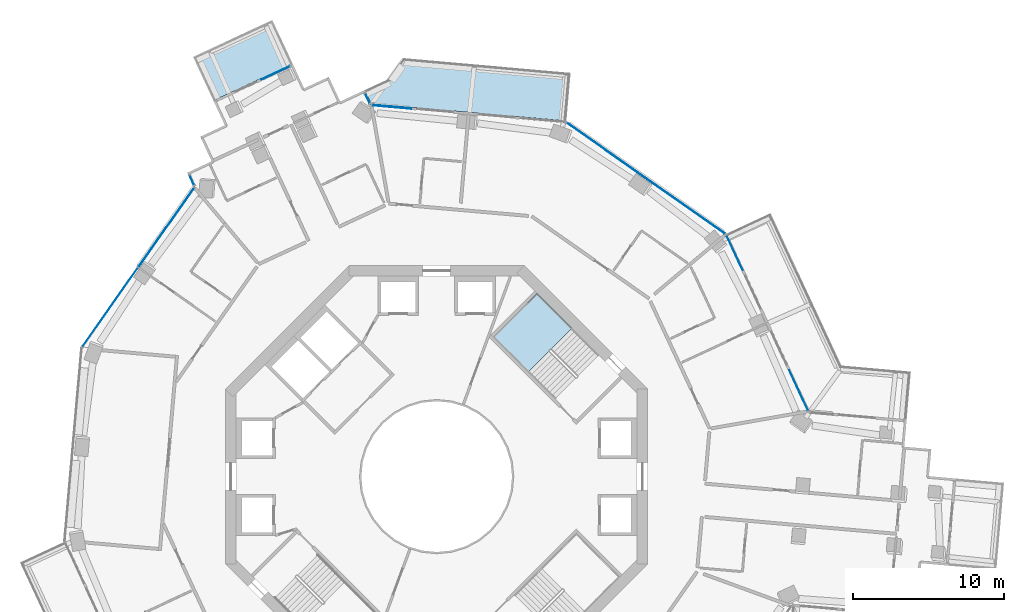
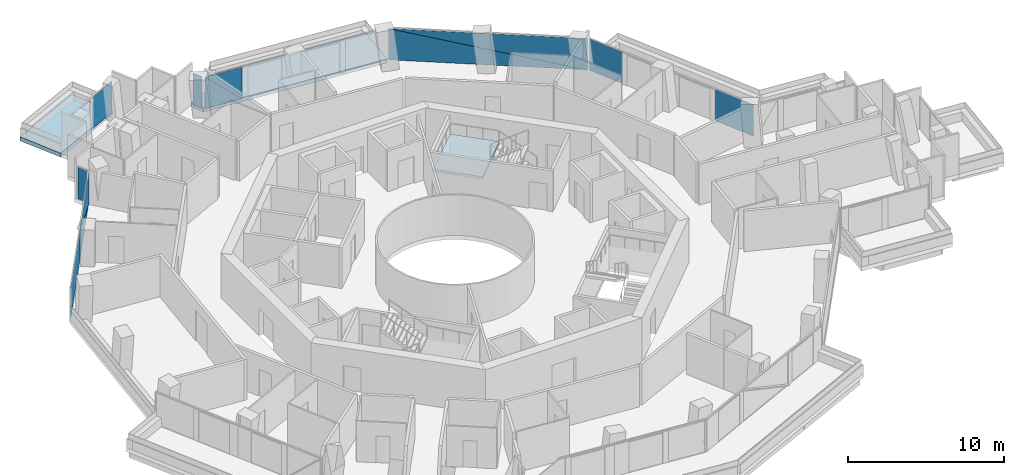
# One storey, part 13 of 23: 12 plates, 3 slabs, 8 elements without a shape of their own.
"""IFC4 building model written with IfcOpenShell, lengths in metres."""

from ifc_helpers import new_model, si_unit, direction, frame, origin, origin_2d, place, context, subcontext, project, spatial, polyline, rectangle, outline, extrude, material, layer, layer_set, type_object, element, aggregate, save


model = new_model("IFC4")

# Units and contexts
model_context = context("Model", 3, precision=1e-05, world=origin(), true_north=direction((0.0, 1.0)))
body_context = subcontext(model_context, "Body", "Model", "MODEL_VIEW")
ifc_project = project(units=[si_unit("LENGTHUNIT", "METRE"), si_unit("AREAUNIT", "SQUARE_METRE"), si_unit("VOLUMEUNIT", "CUBIC_METRE"), si_unit("PLANEANGLEUNIT", "RADIAN"), si_unit("MASSUNIT", "GRAM", prefix="KILO")], contexts=[model_context])

# Site, building, storey
site_placement = place(None, origin())
site = spatial("IfcSite", under=ifc_project, at=site_placement, CompositionType="ELEMENT")
building_placement = place(site_placement, origin())
building = spatial("IfcBuilding", under=site, at=building_placement, Name="Verdalira Terraces Hotel", CompositionType="ELEMENT")
storey_placement = place(building_placement, frame((0.0, 0.0, 136.5)))
storey = spatial("IfcBuildingStorey", under=building, at=storey_placement, Name="L32", CompositionType="ELEMENT", Elevation=136.5)

# Slabs
ifc_material_1 = material(Name="Precast concrete C40/50", Category="concrete")
ifc_layer_1 = layer(ifc_material_1, 0.31005859375)
ifc_layer_set_1 = layer_set([ifc_layer_1], Name="Balcony deck 310")
slab_type_1 = type_object("IfcSlabType", Name="Balcony deck 310", PredefinedType="FLOOR", material=ifc_layer_set_1)
slab_1_placement = place(storey_placement, frame((0.0, 0.0, -0.310059)))
element("IfcSlab", 1, at=slab_1_placement, inside=storey, type_object=slab_type_1, Name="Balcony deck", PredefinedType="FLOOR", context=body_context, shape_type="SweptSolid", body=[
    extrude(outline(polyline([(-16.157227, 27.840332), (-14.806885, 24.939209), (-9.548584, 27.386719), (-10.898926, 30.287842), (-16.157227, 27.840332)])), origin(), (0.0, 0.0, 1.0), 0.310059),
])
slab_2_placement = place(storey_placement, frame((0.0, 0.0, -0.310059)))
element("IfcSlab", 2, at=slab_2_placement, inside=storey, type_object=slab_type_1, Name="Balcony deck", PredefinedType="FLOOR", context=body_context, shape_type="SweptSolid", body=[
    extrude(outline(polyline([(-2.222168, 27.760986), (-3.195557, 26.373047), (-4.765625, 25.64209), (-4.34375, 24.735596), (8.605957, 23.593506), (8.887207, 26.78125), (-2.222168, 27.760986)])), origin(), (0.0, 0.0, 1.0), 0.310059),
])

# Curtain wall, plates
ifc_material_2 = material(Name="Clear glass", Category="glass")
ifc_layer_2 = layer(ifc_material_2, 0.14990234375)
ifc_layer_set_2 = layer_set([ifc_layer_2], Name="CW1 curtain wall")
curtain_wall_type_1 = type_object("IfcCurtainWallType", Name="CW1 curtain wall", PredefinedType="NOTDEFINED", material=ifc_layer_set_2)
curtain_wall_1_placement = place(storey_placement, origin())
curtain_wall_1 = element("IfcCurtainWall", 3, at=curtain_wall_1_placement, inside=storey, type_object=curtain_wall_type_1, Name="CW1 curtain wall L32 edge 11", PredefinedType="NOTDEFINED")
ifc_material_3 = material(Name="Clear glass", Category="glass")
ifc_layer_3 = layer(ifc_material_3, 0.028076171875)
ifc_layer_set_3 = layer_set([ifc_layer_3], Name="CW1 glass unit 28")
plate_type_1 = type_object("IfcPlateType", Name="CW1 glass unit 28", PredefinedType="CURTAIN_PANEL", material=ifc_layer_set_3)
plate_1_placement = place(storey_placement, frame((-17.931396, 16.525391, 1.237549), z_axis=(-0.818751413, 0.574148173, 0.0), x_axis=(-0.574148173, -0.818751413, 0.0)))
plate_1 = element("IfcPlate", 4, at=plate_1_placement, type_object=plate_type_1, Name="CW1 glass unit", PredefinedType="CURTAIN_PANEL", context=body_context, shape_type="SweptSolid", body=[
    extrude(outline(polyline([(-3.205078, -1.237549), (3.205078, -1.237549), (3.205078, 1.237549), (-3.205078, -1.237549)])), origin(), (0.0, 0.0, 1.0), 0.028076),
])
plate_2_placement = place(storey_placement, frame((-17.907471, 16.508789, 1.237549), z_axis=(-0.818751413, 0.574148173, 0.0), x_axis=(-0.574148173, -0.818751413, 0.0)))
plate_2 = element("IfcPlate", 5, at=plate_2_placement, type_object=plate_type_1, Name="CW1 glass unit", PredefinedType="CURTAIN_PANEL", context=body_context, shape_type="SweptSolid", body=[
    extrude(outline(polyline([(-3.205078, -1.237549), (3.205078, 1.237549), (-3.205078, 1.237549), (-3.205078, -1.237549)])), origin(), (0.0, 0.0, 1.0), 0.028076),
])
plate_3_placement = place(storey_placement, frame((-21.657471, 11.236084, 0.0), z_axis=(0.0, 0.0, 1.0), x_axis=(-0.574148173, -0.818751413, 0.0)))
plate_3 = element("IfcPlate", 6, at=plate_3_placement, type_object=plate_type_1, Name="CW1 glass unit", PredefinedType="CURTAIN_PANEL", context=body_context, shape_type="SweptSolid", body=[
    extrude(rectangle(XDim=6.409912, YDim=0.028076, at=origin_2d()), origin(), (0.0, 0.0, 1.0), 2.475098),
])
aggregate(curtain_wall_1, [plate_1, plate_2, plate_3])

curtain_wall_2_placement = place(storey_placement, origin())
curtain_wall_2 = element("IfcCurtainWall", 7, at=curtain_wall_2_placement, inside=storey, type_object=curtain_wall_type_1, Name="CW1 curtain wall L32 edge 39", PredefinedType="NOTDEFINED")
plate_4_placement = place(storey_placement, frame((24.016602, 5.710449, 0.0), z_axis=(0.0, 0.0, 1.0), x_axis=(-0.421985437, 0.906602609, 0.0)))
plate_4 = element("IfcPlate", 8, at=plate_4_placement, type_object=plate_type_1, Name="CW1 glass unit", PredefinedType="CURTAIN_PANEL", context=body_context, shape_type="SweptSolid", body=[
    extrude(rectangle(XDim=2.965088, YDim=0.028076, at=origin_2d()), origin(), (0.0, 0.0, 1.0), 2.475098),
])
plate_5_placement = place(storey_placement, frame((19.765137, 14.844727, 0.0), z_axis=(0.0, 0.0, 1.0), x_axis=(-0.421985437, 0.906602609, 0.0)))
plate_5 = element("IfcPlate", 9, at=plate_5_placement, type_object=plate_type_1, Name="CW1 glass unit", PredefinedType="CURTAIN_PANEL", context=body_context, shape_type="SweptSolid", body=[
    extrude(rectangle(XDim=2.564209, YDim=0.028076, at=origin_2d()), origin(), (0.0, 0.0, 1.0), 2.475098),
])
aggregate(curtain_wall_2, [plate_4, plate_5])

curtain_wall_3_placement = place(storey_placement, origin())
curtain_wall_3 = element("IfcCurtainWall", 10, at=curtain_wall_3_placement, inside=storey, type_object=curtain_wall_type_1, Name="CW1 curtain wall L32 edge 40", PredefinedType="NOTDEFINED")
plate_6_placement = place(storey_placement, frame((13.876709, 19.788574, 1.237549), z_axis=(0.574148173, 0.818751413, 0.0), x_axis=(-0.818751413, 0.574148173, 0.0)))
plate_6 = element("IfcPlate", 11, at=plate_6_placement, type_object=plate_type_1, Name="CW1 glass unit", PredefinedType="CURTAIN_PANEL", context=body_context, shape_type="SweptSolid", body=[
    extrude(outline(polyline([(-6.399902, -1.237549), (6.399902, -1.237549), (6.399902, 1.237549), (-6.399902, -1.237549)])), origin(), (0.0, 0.0, 1.0), 0.028076),
])
plate_7_placement = place(storey_placement, frame((13.860107, 19.764648, 1.237549), z_axis=(0.574148173, 0.818751413, 0.0), x_axis=(-0.818751413, 0.574148173, 0.0)))
plate_7 = element("IfcPlate", 12, at=plate_7_placement, type_object=plate_type_1, Name="CW1 glass unit", PredefinedType="CURTAIN_PANEL", context=body_context, shape_type="SweptSolid", body=[
    extrude(outline(polyline([(-6.399902, -1.237549), (6.399902, 1.237549), (-6.399902, 1.237549), (-6.399902, -1.237549)])), origin(), (0.0, 0.0, 1.0), 0.028076),
])
aggregate(curtain_wall_3, [plate_6, plate_7])

curtain_wall_4_placement = place(storey_placement, origin())
curtain_wall_4 = element("IfcCurtainWall", 13, at=curtain_wall_4_placement, inside=storey, type_object=curtain_wall_type_1, Name="CW1 curtain wall L32 edge 41", PredefinedType="NOTDEFINED")
plate_8_placement = place(storey_placement, frame((-2.994629, 24.527344, 1.237549), z_axis=(0.087851197, 0.996133609, 0.0), x_axis=(-0.996133609, 0.087851197, 0.0)))
plate_8 = element("IfcPlate", 14, at=plate_8_placement, type_object=plate_type_1, Name="CW1 glass unit", PredefinedType="CURTAIN_PANEL", context=body_context, shape_type="SweptSolid", body=[
    extrude(outline(polyline([(-1.302246, -1.237549), (1.302246, -1.237549), (1.302246, 1.237549), (-1.302246, -1.237549)])), origin(), (0.0, 0.0, 1.0), 0.028076),
])
plate_9_placement = place(storey_placement, frame((-2.997314, 24.498291, 1.237549), z_axis=(0.087851197, 0.996133609, 0.0), x_axis=(-0.996133609, 0.087851197, 0.0)))
plate_9 = element("IfcPlate", 15, at=plate_9_placement, type_object=plate_type_1, Name="CW1 glass unit", PredefinedType="CURTAIN_PANEL", context=body_context, shape_type="SweptSolid", body=[
    extrude(outline(polyline([(-1.302246, -1.237549), (1.302246, 1.237549), (-1.302246, 1.237549), (-1.302246, -1.237549)])), origin(), (0.0, 0.0, 1.0), 0.028076),
])
aggregate(curtain_wall_4, [plate_8, plate_9])

# Curtain wall, plate
ifc_material_4 = material(Name="Clear glass", Category="glass")
ifc_layer_4 = layer(ifc_material_4, 0.14990234375)
ifc_layer_set_4 = layer_set([ifc_layer_4], Name="CW2 curtain wall")
curtain_wall_type_2 = type_object("IfcCurtainWallType", Name="CW2 curtain wall", PredefinedType="NOTDEFINED", material=ifc_layer_set_4)
curtain_wall_5_placement = place(storey_placement, origin())
curtain_wall_5 = element("IfcCurtainWall", 16, at=curtain_wall_5_placement, inside=storey, type_object=curtain_wall_type_2, Name="CW2 curtain wall L32 edge 0", PredefinedType="NOTDEFINED")
ifc_material_5 = material(Name="Clear glass", Category="glass")
ifc_layer_5 = layer(ifc_material_5, 0.031982421875)
ifc_layer_set_5 = layer_set([ifc_layer_5], Name="CW2 glass unit 32")
plate_type_2 = type_object("IfcPlateType", Name="CW2 glass unit 32", PredefinedType="CURTAIN_PANEL", material=ifc_layer_set_5)
plate_10_placement = place(storey_placement, frame((-4.591064, 25.089111, 0.0), z_axis=(0.0, 0.0, 1.0), x_axis=(-0.421985437, 0.906602609, 0.0)))
plate_10 = element("IfcPlate", 17, at=plate_10_placement, type_object=plate_type_2, Name="CW2 glass unit", PredefinedType="CURTAIN_PANEL", context=body_context, shape_type="SweptSolid", body=[
    extrude(rectangle(XDim=0.709961, YDim=0.031982, at=origin_2d()), origin(), (0.0, 0.0, 1.0), 2.475098),
])
aggregate(curtain_wall_5, [plate_10])

curtain_wall_6_placement = place(storey_placement, origin())
curtain_wall_6 = element("IfcCurtainWall", 18, at=curtain_wall_6_placement, inside=storey, type_object=curtain_wall_type_2, Name="CW2 curtain wall L32 edge 10", PredefinedType="NOTDEFINED")
plate_11_placement = place(storey_placement, frame((-16.240967, 19.666748, 0.0), z_axis=(0.0, 0.0, 1.0), x_axis=(0.421985437, -0.906602609, 0.0)))
plate_11 = element("IfcPlate", 19, at=plate_11_placement, type_object=plate_type_2, Name="CW2 glass unit", PredefinedType="CURTAIN_PANEL", context=body_context, shape_type="SweptSolid", body=[
    extrude(rectangle(XDim=0.709961, YDim=0.031982, at=origin_2d()), origin(), (0.0, 0.0, 1.0), 2.475098),
])
aggregate(curtain_wall_6, [plate_11])

ifc_material_6 = material(Name="Clear glass", Category="glass")
ifc_layer_6 = layer(ifc_material_6, 0.14990234375)
ifc_layer_set_6 = layer_set([ifc_layer_6], Name="CW3 curtain wall")
curtain_wall_type_3 = type_object("IfcCurtainWallType", Name="CW3 curtain wall", PredefinedType="NOTDEFINED", material=ifc_layer_set_6)
curtain_wall_7_placement = place(storey_placement, origin())
curtain_wall_7 = element("IfcCurtainWall", 20, at=curtain_wall_7_placement, inside=storey, type_object=curtain_wall_type_3, Name="CW3 curtain wall L32 edge 5", PredefinedType="NOTDEFINED")
ifc_material_7 = material(Name="Clear glass", Category="glass")
ifc_layer_7 = layer(ifc_material_7, 0.035888671875)
ifc_layer_set_7 = layer_set([ifc_layer_7], Name="CW3 glass unit 36")
plate_type_3 = type_object("IfcPlateType", Name="CW3 glass unit 36", PredefinedType="CURTAIN_PANEL", material=ifc_layer_set_7)
plate_12_placement = place(storey_placement, frame((-10.668457, 26.782959, 0.0), z_axis=(0.0, 0.0, 1.0), x_axis=(-0.906602609, -0.421985437, 0.0)))
plate_12 = element("IfcPlate", 21, at=plate_12_placement, type_object=plate_type_3, Name="CW3 glass unit", PredefinedType="CURTAIN_PANEL", context=body_context, shape_type="SweptSolid", body=[
    extrude(rectangle(XDim=2.080078, YDim=0.035889, at=origin_2d()), origin(), (0.0, 0.0, 1.0), 2.475098),
])
aggregate(curtain_wall_7, [plate_12])

# Stair, slab
ifc_material_8 = material(Name="Concrete C40", Category="concrete")
stair_type = type_object("IfcStairType", Name="Core stair 20 risers 2000 mm wide", PredefinedType="HALF_TURN_STAIR", material=ifc_material_8)
stair_placement = place(storey_placement, origin())
stair = element("IfcStair", 22, at=stair_placement, inside=storey, type_object=stair_type, Name="L32 Exit stair ST1", PredefinedType="HALF_TURN_STAIR")
ifc_material_9 = material(Name="Concrete C40", Category="concrete")
ifc_layer_8 = layer(ifc_material_9, 0.199951171875)
ifc_layer_set_8 = layer_set([ifc_layer_8], Name="Core stair landing 200 mm")
slab_type_2 = type_object("IfcSlabType", Name="Core stair landing 200 mm", PredefinedType="LANDING", material=ifc_layer_set_8)
slab_3_placement = place(storey_placement, frame((0.0, 0.0, 1.550049)))
slab_3 = element("IfcSlab", 23, at=slab_3_placement, type_object=slab_type_2, Name="ST1 landing 1", PredefinedType="LANDING", context=body_context, shape_type="SweptSolid", body=[
    extrude(outline(polyline([(8.966553, 9.842529), (6.646729, 12.162354), (3.747559, 9.263184), (6.067383, 6.943359), (8.966553, 9.842529)])), origin(), (0.0, 0.0, 1.0), 0.199951),
])
aggregate(stair, [slab_3])

save(model, "model.ifc")
